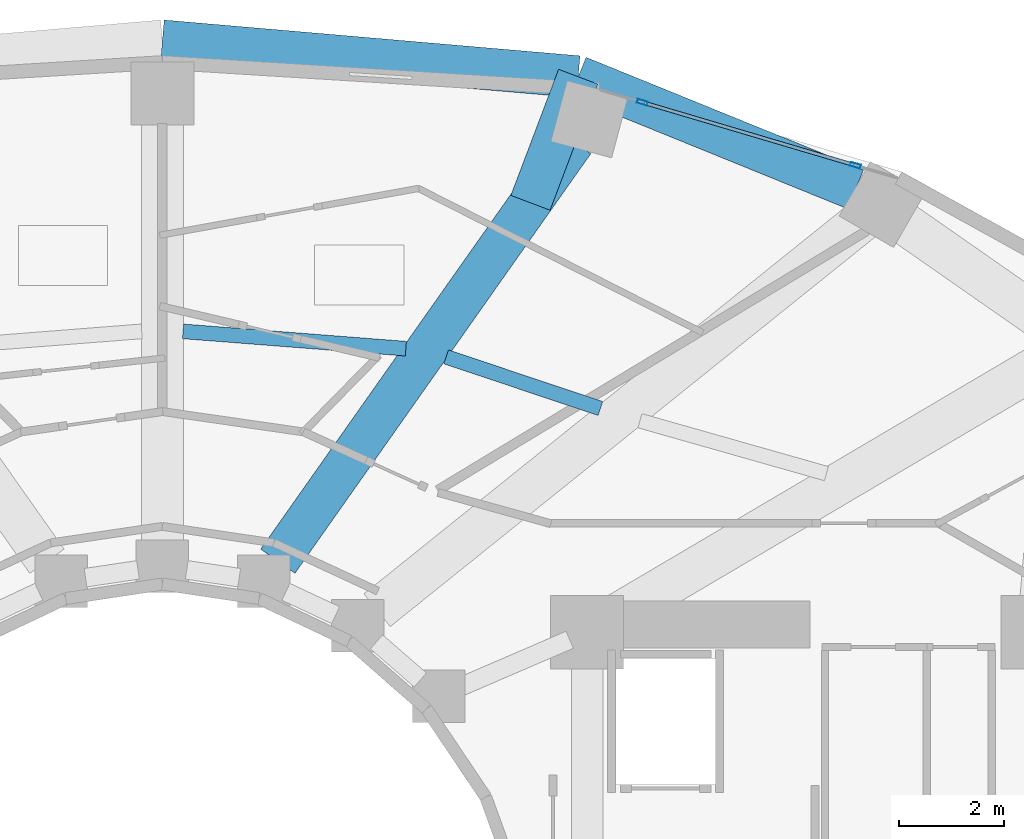
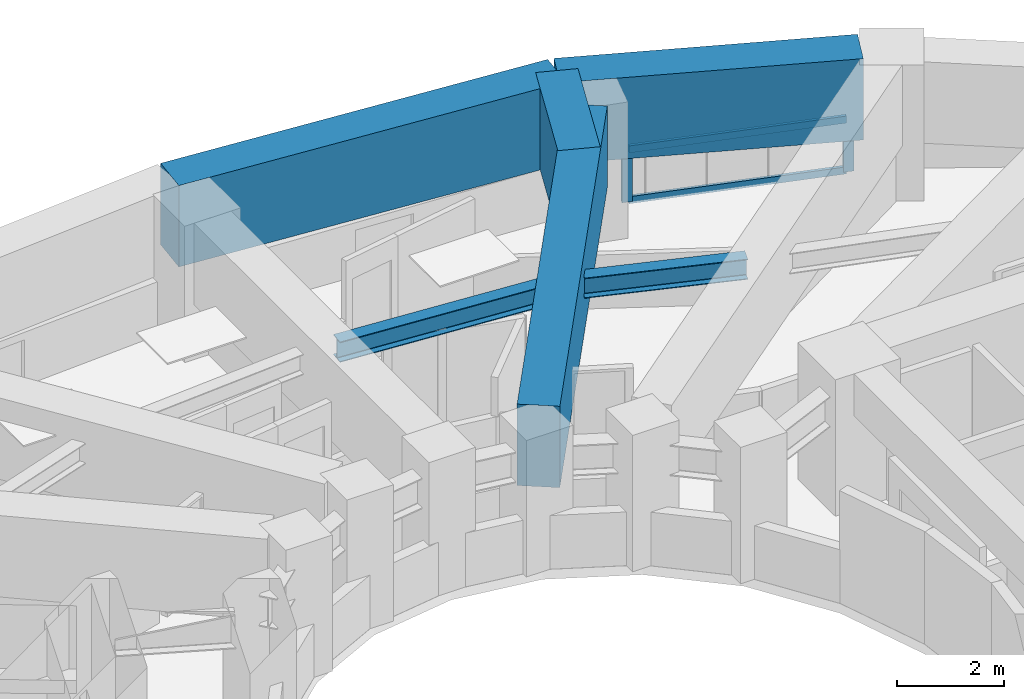
# One storey, part 7 of 16: 6 beams, 4 members, 1 element without a shape of its own.
"""IFC4 building model written with IfcOpenShell, lengths in metres."""

import ifcopenshell
import ifcopenshell.guid

model = None  # the IFC model being written
_history = None  # IfcOwnerHistory: only IFC2X3 demands one
_inside = {}  # id of a spatial element -> (the spatial element, [elements in it])
_under = {}  # id of a project, library or spatial element -> (it, [spatial elements below it])
_declared = {}  # id of a project -> (the project, [libraries it declares])
_typed = {}  # id of a type object -> (the type object, [elements of that type])
_made_of = {}  # id of a material, layer set ... -> (it, [elements and type objects made of it])


def new_model(schema):
    """Start an empty IFC model of exactly this schema.

    Asked for "IFC4X3", IfcOpenShell would pick the latest addendum, in which some entities
    have other attributes; the version numbers below select the first issue.
    IFC2X3 requires an IfcOwnerHistory on every rooted entity: one is made here for all.
    """
    global model, _history
    if schema == "IFC4X3":
        model = ifcopenshell.file(schema_version=(4, 3, 0, 0))
    else:
        model = ifcopenshell.file(schema=schema)
    _inside.clear()
    _under.clear()
    _declared.clear()
    _typed.clear()
    _made_of.clear()
    _history = None
    if model.schema == "IFC2X3":
        org = make("IfcOrganization", Name="unknown")
        user = make(
            "IfcPersonAndOrganization",
            ThePerson=make("IfcPerson", FamilyName="unknown"),
            TheOrganization=org,
        )
        app = make(
            "IfcApplication",
            ApplicationDeveloper=org,
            Version="unknown",
            ApplicationFullName="unknown",
            ApplicationIdentifier="unknown",
        )
        _history = make(
            "IfcOwnerHistory",
            OwningUser=user,
            OwningApplication=app,
            ChangeAction="ADDED",
            CreationDate=0,
        )
    return model


def make(cls, **values):
    """One entity of the class cls with the attributes given. An attribute that is None is left unset."""
    return model.create_entity(
        cls, **{name: value for name, value in values.items() if value is not None}
    )


def rooted(cls, **values):
    """An entity with a GlobalId (a new one), such as an element, a storey or a relation."""
    return make(cls, GlobalId=ifcopenshell.guid.new(), OwnerHistory=_history, **values)


def si_unit(unit_type, name, prefix=None):
    """IfcSIUnit, for example si_unit("LENGTHUNIT", "METRE", prefix="MILLI")."""
    return make("IfcSIUnit", UnitType=unit_type, Prefix=prefix, Name=name)


def assignment(units):
    """IfcUnitAssignment: the units of a project."""
    return None if units is None else make("IfcUnitAssignment", Units=units)


def point(xyz):
    """IfcCartesianPoint."""
    return None if xyz is None else make("IfcCartesianPoint", Coordinates=xyz)


def direction(xyz):
    """IfcDirection."""
    return None if xyz is None else make("IfcDirection", DirectionRatios=xyz)


def frame(location, z_axis=None, x_axis=None):
    """IfcAxis2Placement3D, a coordinate frame: its origin and axes. An axis left out is left unset."""
    return make(
        "IfcAxis2Placement3D",
        Location=point(location),
        Axis=direction(z_axis),
        RefDirection=direction(x_axis),
    )


def frame_2d(location, x_axis=None):
    """IfcAxis2Placement2D, a coordinate frame in the plane: its origin and x axis."""
    return make(
        "IfcAxis2Placement2D", Location=point(location), RefDirection=direction(x_axis)
    )


def origin():
    """The frame at (0, 0, 0) with its axes left unset."""
    return frame((0.0, 0.0, 0.0))


def origin_2d():
    """The frame at (0, 0) in the plane with its x axis left unset."""
    return frame_2d((0.0, 0.0))


def place(relative_to, where):
    """IfcLocalPlacement: puts the frame where relative to a parent placement (None: the world)."""
    return make(
        "IfcLocalPlacement", PlacementRelTo=relative_to, RelativePlacement=where
    )


def context(
    kind, dimensions, precision=None, world=None, true_north=None, identifier=None
):
    """IfcGeometricRepresentationContext, for example the 3D "Model" context."""
    return make(
        "IfcGeometricRepresentationContext",
        ContextIdentifier=identifier,
        ContextType=kind,
        CoordinateSpaceDimension=dimensions,
        Precision=precision,
        WorldCoordinateSystem=world,
        TrueNorth=true_north,
    )


def subcontext(parent, identifier, kind, view, scale=None):
    """IfcGeometricRepresentationSubContext, for example "Body" below "Model"."""
    return make(
        "IfcGeometricRepresentationSubContext",
        ContextIdentifier=identifier,
        ContextType=kind,
        ParentContext=parent,
        TargetScale=scale,
        TargetView=view,
    )


def project(units=None, contexts=None):
    """IfcProject with its units and contexts."""
    return rooted(
        "IfcProject",
        Name="project",
        RepresentationContexts=contexts,
        UnitsInContext=assignment(units),
    )


def spatial(cls, under=None, at=None, **own):
    """A site, building, storey or space (cls), placed at a placement, below another one or the project."""
    s = rooted(cls, ObjectPlacement=at, **own)
    if under is not None:
        _under.setdefault(under.id(), (under, []))[1].append(s)
    return s


def profile(cls, at=None, kind="AREA", **sizes):
    """A parametric profile (cls). Its sizes go by their IFC names, for example OverallWidth=200.0."""
    return make(cls, ProfileType=kind, Position=at, **sizes)


def rectangle(**sizes):
    """IfcRectangleProfileDef."""
    return profile("IfcRectangleProfileDef", **sizes)


def hollow_rectangle(**sizes):
    """IfcRectangleHollowProfileDef."""
    return profile("IfcRectangleHollowProfileDef", **sizes)


def i_section(**sizes):
    """IfcIShapeProfileDef."""
    return profile("IfcIShapeProfileDef", **sizes)


def extrude(swept, where, along, depth):
    """IfcExtrudedAreaSolid: the profile swept, set in the frame where, extruded along a direction by depth."""
    return make(
        "IfcExtrudedAreaSolid",
        SweptArea=swept,
        Position=where,
        ExtrudedDirection=direction(along),
        Depth=depth,
    )


def shape(context_of_items, identifier, shape_type, items):
    """IfcShapeRepresentation: the items that make up one representation, for example the "Body"."""
    return make(
        "IfcShapeRepresentation",
        ContextOfItems=context_of_items,
        RepresentationIdentifier=identifier,
        RepresentationType=shape_type,
        Items=items,
    )


def material(Name=None, Category=None):
    """IfcMaterial."""
    return make("IfcMaterial", Name=Name, Category=Category)


def layer(
    of_material, thickness, ventilated=None, Name=None, Category=None, Priority=None
):
    """IfcMaterialLayer: one layer of a wall or slab, of a material (None: an air gap)."""
    return make(
        "IfcMaterialLayer",
        Material=of_material,
        LayerThickness=thickness,
        IsVentilated=ventilated,
        Name=Name,
        Category=Category,
        Priority=Priority,
    )


def layer_set(layers, Name=None):
    """IfcMaterialLayerSet."""
    return make("IfcMaterialLayerSet", MaterialLayers=layers, LayerSetName=Name)


def material_profile(
    of_material, cross_section, Name=None, Category=None, Priority=None
):
    """IfcMaterialProfile: a cross section and its material."""
    return make(
        "IfcMaterialProfile",
        Name=Name,
        Material=of_material,
        Profile=cross_section,
        Priority=Priority,
        Category=Category,
    )


def profile_set(profiles, Name=None, composite=None):
    """IfcMaterialProfileSet."""
    return make(
        "IfcMaterialProfileSet",
        Name=Name,
        MaterialProfiles=profiles,
        CompositeProfile=composite,
    )


def made_of(thing, what):
    """Note that an element or type object is made of a material, layer set ...; save() writes the relation."""
    if what is not None:
        _made_of.setdefault(what.id(), (what, []))[1].append(thing)
    return thing


def type_object(cls, material=None, **own):
    """A type object (cls), such as IfcWallType, which elements share."""
    return made_of(rooted(cls, **own), material)


def element(
    cls,
    number,
    at=None,
    inside=None,
    cuts=None,
    type_object=None,
    material=None,
    context=None,
    identifier="Body",
    shape_type=None,
    held_by="IfcProductDefinitionShape",
    body=None,
    shapes=None,
    **own,
):
    """One element of the class cls, such as IfcWall. Its Tag is "e" and its number.

    at: its placement. inside: the storey or other place that contains it. cuts: it is an
    opening in that element (IfcRelVoidsElement). A single representation is given by context,
    identifier, shape_type and body (its items); several are given by shapes. held_by: the class
    of the entity that holds the representations. save() writes the other relations.
    """
    e = rooted(cls, Tag="e%d" % number, ObjectPlacement=at, **own)
    if body is not None:
        shapes = [shape(context, identifier, shape_type, body)]
    if shapes is not None:
        e.Representation = make(held_by, Representations=shapes)
    if inside is not None:
        _inside.setdefault(inside.id(), (inside, []))[1].append(e)
    if cuts is not None:
        rooted(
            "IfcRelVoidsElement", RelatingBuildingElement=cuts, RelatedOpeningElement=e
        )
    if type_object is not None:
        _typed.setdefault(type_object.id(), (type_object, []))[1].append(e)
    return made_of(e, material)


def aggregate(whole, parts):
    """IfcRelAggregates: a whole, such as a stair, and the parts it consists of."""
    return rooted("IfcRelAggregates", RelatingObject=whole, RelatedObjects=parts)


def save(model, path):
    """Write the relations noted so far, then the file.

    IfcRelAggregates (storeys below a building ...), IfcRelContainedInSpatialStructure (elements
    in a storey), IfcRelDefinesByType, IfcRelAssociatesMaterial and IfcRelDeclares: one each for
    every whole, place, type object, material and project.
    """
    for whole, parts in _under.values():
        aggregate(whole, parts)
    for where, things in _inside.values():
        rooted(
            "IfcRelContainedInSpatialStructure",
            RelatedElements=things,
            RelatingStructure=where,
        )
    for kind, things in _typed.values():
        rooted("IfcRelDefinesByType", RelatedObjects=things, RelatingType=kind)
    for what, things in _made_of.values():
        rooted("IfcRelAssociatesMaterial", RelatedObjects=things, RelatingMaterial=what)
    for by, libraries in _declared.values():
        rooted("IfcRelDeclares", RelatingContext=by, RelatedDefinitions=libraries)
    model.write(path)


model = new_model("IFC4")

# Units and contexts
model_context = context("Model", 3, precision=1e-05, world=origin(), true_north=direction((0.0, 1.0)))
body_context = subcontext(model_context, "Body", "Model", "MODEL_VIEW")
ifc_project = project(units=[si_unit("LENGTHUNIT", "METRE"), si_unit("AREAUNIT", "SQUARE_METRE"), si_unit("VOLUMEUNIT", "CUBIC_METRE"), si_unit("PLANEANGLEUNIT", "RADIAN"), si_unit("MASSUNIT", "GRAM", prefix="KILO")], contexts=[model_context])

# Site, building, storey
site_placement = place(None, origin())
site = spatial("IfcSite", under=ifc_project, at=site_placement, CompositionType="ELEMENT")
building_placement = place(site_placement, origin())
building = spatial("IfcBuilding", under=site, at=building_placement, Name="Solvane Sanctuary Tower", CompositionType="ELEMENT")
storey_placement = place(building_placement, frame((0.0, 0.0, 61.699951171875)))
storey = spatial("IfcBuildingStorey", under=building, at=storey_placement, Name="L18", CompositionType="ELEMENT", Elevation=61.699951171875)

# Beams
ifc_material_1 = material(Name="Steel ASTM A992 Grade 50", Category="steel")
ifc_material_profile_1 = material_profile(ifc_material_1, i_section(OverallWidth=0.280029296875, OverallDepth=0.462890625, WebThickness=0.0107421875, FlangeThickness=0.017333984375, FilletRadius=0.013916015625, at=origin_2d()), Name="W18X76")
ifc_profile_set_1 = profile_set([ifc_material_profile_1], Name="Steel ASTM A992 Grade 50")
beam_type_1 = type_object("IfcBeamType", Name="Beam B-SEC-JOIST W18X76", PredefinedType="JOIST", material=ifc_profile_set_1)
beam_1_placement = place(storey_placement, frame((32.393798828125, 35.939453125, 2.366455078125), z_axis=(0.99699353627, -0.077484763891, 0.0), x_axis=(0.077484763891, 0.99699353627, 0.0)))
element("IfcBeam", 1, at=beam_1_placement, inside=storey, type_object=beam_type_1, Name="L18 Secondary Circumferential Joist 04-03", PredefinedType="JOIST", context=body_context, shape_type="SweptSolid", body=[
    extrude(i_section(OverallWidth=0.280029296875, OverallDepth=0.462890625, WebThickness=0.0107421875, FlangeThickness=0.017333984375, FilletRadius=0.013916015625, at=origin_2d()), origin(), (0.0, 0.0, 1.0), 4.262939453125),
])
beam_2_placement = place(storey_placement, frame((37.412353515625, 35.453125, 2.366455078125), z_axis=(0.948289049928, -0.317408061944, 0.0), x_axis=(0.317408061944, 0.948289049928, 0.0)))
element("IfcBeam", 2, at=beam_2_placement, inside=storey, type_object=beam_type_1, Name="L18 Secondary Circumferential Joist 03-02", PredefinedType="JOIST", context=body_context, shape_type="SweptSolid", body=[
    extrude(i_section(OverallWidth=0.280029296875, OverallDepth=0.462890625, WebThickness=0.0107421875, FlangeThickness=0.017333984375, FilletRadius=0.013916015625, at=origin_2d()), origin(), (0.0, 0.0, 1.0), 3.10205078125),
])
ifc_material_2 = material(Name="Concrete C70/85", Category="concrete")
ifc_material_profile_2 = material_profile(ifc_material_2, rectangle(XDim=0.800048828125, YDim=1.85009765625, at=origin_2d()), Name="RC800X1850")
ifc_profile_set_2 = profile_set([ifc_material_profile_2], Name="Concrete C70/85")
beam_type_2 = type_object("IfcBeamType", Name="Beam B-XFER-BLK RC800X1850", PredefinedType="BEAM", material=ifc_profile_set_2)
beam_3_placement = place(storey_placement, frame((34.20166015625, 31.555908203125, 2.175048828125), z_axis=(0.576221171819, 0.817293803444, 0.0), x_axis=(-0.817293803444, 0.576221171819, 0.0)))
element("IfcBeam", 3, at=beam_3_placement, inside=storey, type_object=beam_type_2, Name="L18 Block-Shift Radial Transfer Girder 03A", PredefinedType="BEAM", context=body_context, shape_type="SweptSolid", body=[
    extrude(rectangle(XDim=0.800048828125, YDim=1.85009765625, at=origin_2d()), origin(), (0.0, 0.0, 1.0), 9.794189453125),
])
beam_4_placement = place(storey_placement, frame((39.021240234375, 38.391845703125, 2.175048828125), z_axis=(0.354055958329, 0.935224239619, 0.0), x_axis=(-0.935224239619, 0.354055958329, 0.0)))
element("IfcBeam", 4, at=beam_4_placement, inside=storey, type_object=beam_type_2, Name="L18 Block-Shift Transfer Tie 03B", PredefinedType="BEAM", context=body_context, shape_type="SweptSolid", body=[
    extrude(rectangle(XDim=0.800048828125, YDim=1.85009765625, at=origin_2d()), origin(), (0.0, 0.0, 1.0), 2.5712890625),
])
beam_5_placement = place(storey_placement, frame((32.0, 41.47998046875, 2.175048828125), z_axis=(0.996309201647, -0.08583690764, 0.0), x_axis=(0.08583690764, 0.996309201647, 0.0)))
element("IfcBeam", 5, at=beam_5_placement, inside=storey, type_object=beam_type_2, Name="L18 Perimeter Step Transfer Ring NTC04-NTC03", PredefinedType="BEAM", context=body_context, shape_type="SweptSolid", body=[
    extrude(rectangle(XDim=0.800048828125, YDim=1.85009765625, at=origin_2d()), origin(), (0.0, 0.0, 1.0), 7.9609375),
])
beam_6_placement = place(storey_placement, frame((39.931640625, 40.796630859375, 2.175048828125), z_axis=(0.92644001676, -0.376442419696, 0.0), x_axis=(0.376442419696, 0.92644001676, 0.0)))
element("IfcBeam", 6, at=beam_6_placement, inside=storey, type_object=beam_type_2, Name="L18 Perimeter Step Transfer Ring NTC03-NTC02", PredefinedType="BEAM", context=body_context, shape_type="SweptSolid", body=[
    extrude(rectangle(XDim=0.800048828125, YDim=1.85009765625, at=origin_2d()), origin(), (0.0, 0.0, 1.0), 5.709716796875),
])

# Curtain wall, members
ifc_material_3 = material(Name="Anodised Aluminium 6063-T6", Category="aluminium")
ifc_layer = layer(ifc_material_3, 0.169921875, Name="Anodised Aluminium 6063-T6")
ifc_layer_set = layer_set([ifc_layer], Name="Anodised Aluminium 6063-T6")
curtain_wall_type = type_object("IfcCurtainWallType", Name="Curtain Wall CW-FRIT-Z1", PredefinedType="NOTDEFINED", material=ifc_layer_set)
curtain_wall_placement = place(storey_placement, origin())
curtain_wall = element("IfcCurtainWall", 7, at=curtain_wall_placement, inside=storey, type_object=curtain_wall_type, Name="L18 CW-FRIT-Z1 Facade Run 04", PredefinedType="NOTDEFINED")
ifc_material_profile_3 = material_profile(ifc_material_3, hollow_rectangle(XDim=0.074951171875, YDim=0.199951171875, WallThickness=0.00390625, at=origin_2d()), Name="ALU200X75X4")
ifc_profile_set_3 = profile_set([ifc_material_profile_3], Name="Anodised Aluminium 6063-T6")
member_type_1 = type_object("IfcMemberType", Name="Member M-CW-MUL-1 ALU200X75X4", PredefinedType="MULLION", material=ifc_profile_set_3)
member_1_placement = place(storey_placement, frame((45.2197265625, 39.10546875, 0.0), z_axis=(0.0, 0.0, 1.0), x_axis=(-0.283936052018, -0.958843218866, 0.0)))
member_1 = element("IfcMember", 8, at=member_1_placement, type_object=member_type_1, Name="CW-FRIT-Z1 mullion 1", PredefinedType="MULLION", context=body_context, shape_type="SweptSolid", body=[
    extrude(hollow_rectangle(XDim=0.074951171875, YDim=0.199951171875, WallThickness=0.00390625, at=origin_2d()), origin(), (0.0, 0.0, 1.0), 1.219970703125),
])
member_2_placement = place(storey_placement, frame((41.154052734375, 40.3095703125, 0.0), z_axis=(0.0, 0.0, 1.0), x_axis=(-0.283936052018, -0.958843218866, 0.0)))
member_2 = element("IfcMember", 9, at=member_2_placement, type_object=member_type_1, Name="CW-FRIT-Z1 mullion 2", PredefinedType="MULLION", context=body_context, shape_type="SweptSolid", body=[
    extrude(hollow_rectangle(XDim=0.074951171875, YDim=0.199951171875, WallThickness=0.00390625, at=origin_2d()), origin(), (0.0, 0.0, 1.0), 1.219970703125),
])
ifc_material_profile_4 = material_profile(ifc_material_3, hollow_rectangle(XDim=0.06494140625, YDim=0.159912109375, WallThickness=0.00341796875, at=origin_2d()), Name="ALU160X65X3.5")
ifc_profile_set_4 = profile_set([ifc_material_profile_4], Name="Anodised Aluminium 6063-T6")
member_type_2 = type_object("IfcMemberType", Name="Member M-CW-TRN-1 ALU160X65X3.5", PredefinedType="USERDEFINED", material=ifc_profile_set_4)
member_3_placement = place(storey_placement, frame((45.183837890625, 39.1162109375, 0.032470703125), z_axis=(-0.958847767463, 0.283920691093, 0.0), x_axis=(-0.283920691093, -0.958847767463, 0.0)))
member_3 = element("IfcMember", 10, at=member_3_placement, type_object=member_type_2, Name="CW-FRIT-Z1 transom 1.1", ObjectType="TRANSOM", PredefinedType="USERDEFINED", context=body_context, shape_type="SweptSolid", body=[
    extrude(hollow_rectangle(XDim=0.06494140625, YDim=0.159912109375, WallThickness=0.00341796875, at=origin_2d()), origin(), (0.0, 0.0, 1.0), 4.165283203125),
])
member_4_placement = place(storey_placement, frame((45.183837890625, 39.1162109375, 1.1875), z_axis=(-0.958847767463, 0.283920691093, 0.0), x_axis=(-0.283920691093, -0.958847767463, 0.0)))
member_4 = element("IfcMember", 11, at=member_4_placement, type_object=member_type_2, Name="CW-FRIT-Z1 transom 1.2", ObjectType="TRANSOM", PredefinedType="USERDEFINED", context=body_context, shape_type="SweptSolid", body=[
    extrude(hollow_rectangle(XDim=0.06494140625, YDim=0.159912109375, WallThickness=0.00341796875, at=origin_2d()), origin(), (0.0, 0.0, 1.0), 4.165283203125),
])
aggregate(curtain_wall, [member_1, member_2, member_3, member_4])

save(model, "model.ifc")
